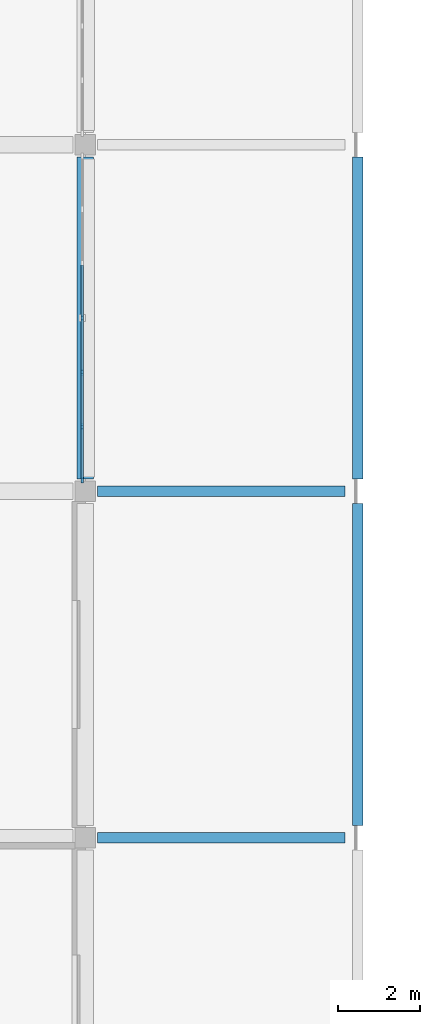
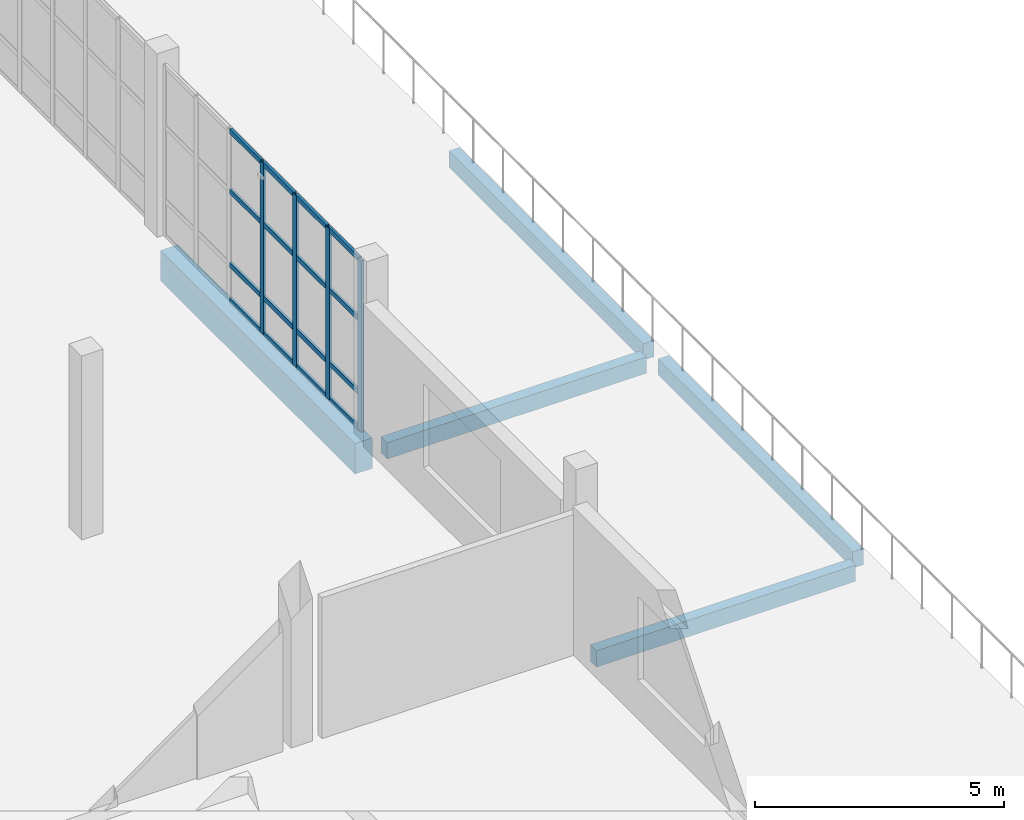
# One storey, part 4 of 83: 20 members, 5 beams, 1 element without a shape of its own.
"""IFC4 building model written with IfcOpenShell, lengths in metres."""

from ifc_helpers import new_model, si_unit, direction, frame, origin, origin_2d, place, context, subcontext, project, spatial, rectangle, extrude, material, material_profile, profile_set, type_object, element, aggregate, save


model = new_model("IFC4")

# Units and contexts
model_context = context("Model", 3, precision=1e-05, world=origin(), true_north=direction((0.0, 1.0)))
body_context = subcontext(model_context, "Body", "Model", "MODEL_VIEW")
ifc_project = project(units=[si_unit("LENGTHUNIT", "METRE"), si_unit("AREAUNIT", "SQUARE_METRE"), si_unit("VOLUMEUNIT", "CUBIC_METRE"), si_unit("PLANEANGLEUNIT", "RADIAN"), si_unit("MASSUNIT", "GRAM", prefix="KILO")], contexts=[model_context])

# Site, building, storey
site_placement = place(None, origin())
site = spatial("IfcSite", under=ifc_project, at=site_placement, CompositionType="ELEMENT")
building_placement = place(site_placement, origin())
building = spatial("IfcBuilding", under=site, at=building_placement, Name="Qaldarim Faculty of Natural and Applied Sciences", CompositionType="ELEMENT")
storey_placement = place(building_placement, frame((0.0, 0.0, 5.39990234375)))
storey = spatial("IfcBuildingStorey", under=building, at=storey_placement, Name="L01", CompositionType="ELEMENT", Elevation=5.39990234375)

# Beams
ifc_material_1 = material(Name="Concrete C40/50", Category="concrete")
ifc_material_profile_1 = material_profile(ifc_material_1, rectangle(XDim=0.25, YDim=0.39990234375, at=origin_2d()), Name="RC-LN250x400")
ifc_profile_set_1 = profile_set([ifc_material_profile_1], Name="Concrete C40/50")
beam_type_1 = type_object("IfcBeamType", Name="ArcadeLintel-RC250x400", PredefinedType="LINTEL", material=ifc_profile_set_1)
for number, where, z_axis, x_axis, name in (
    (1, (46.5, 50.39990234375, -0.39990234375), (1.0, 0.0, 0.0), (0.0, 1.0, 0.0), "Beam RC-LN250x400 L00 X08-X09/Y07"),
    (2, (46.5, 58.800048828125, -0.39990234375), (1.0, 0.0, 0.0), (0.0, 1.0, 0.0), "Beam RC-LN250x400 L00 X08-X09/Y08"),
):
    element("IfcBeam", number, at=place(storey_placement, frame(where, z_axis=z_axis, x_axis=x_axis)), inside=storey, type_object=beam_type_1, Name=name, PredefinedType="LINTEL", context=body_context, shape_type="SweptSolid", body=[
        extrude(rectangle(XDim=0.25, YDim=0.39990234375, at=origin_2d()), origin(), (0.0, 0.0, 1.0), 6.0),
    ])
beam_1_placement = place(storey_placement, frame((52.800048828125, 50.699951171875, -0.39990234375), z_axis=(0.0, 1.0, 0.0), x_axis=(-1.0, 0.0, 0.0)))
element("IfcBeam", 3, at=beam_1_placement, inside=storey, type_object=beam_type_1, Name="Beam RC-LN250x400 L00 X09/Y07-Y08", PredefinedType="LINTEL", context=body_context, shape_type="SweptSolid", body=[
    extrude(rectangle(XDim=0.25, YDim=0.39990234375, at=origin_2d()), origin(), (0.0, 0.0, 1.0), 7.800048828125),
])
beam_2_placement = place(storey_placement, frame((52.800048828125, 59.10009765625, -0.39990234375), z_axis=(0.0, 1.0, 0.0), x_axis=(-1.0, 0.0, 0.0)))
element("IfcBeam", 4, at=beam_2_placement, inside=storey, type_object=beam_type_1, Name="Beam RC-LN250x400 L00 X09/Y08-Y09", PredefinedType="LINTEL", context=body_context, shape_type="SweptSolid", body=[
    extrude(rectangle(XDim=0.25, YDim=0.39990234375, at=origin_2d()), origin(), (0.0, 0.0, 1.0), 7.7998046875),
])
ifc_material_2 = material(Name="Concrete C50/60", Category="concrete")
ifc_material_profile_2 = material_profile(ifc_material_2, rectangle(XDim=0.39990234375, YDim=0.75, at=origin_2d()), Name="RC-B400x750")
ifc_profile_set_2 = profile_set([ifc_material_profile_2], Name="Concrete C50/60")
beam_type_2 = type_object("IfcBeamType", Name="LabGirder-RC400x750", PredefinedType="BEAM", material=ifc_profile_set_2)
beam_3_placement = place(storey_placement, frame((46.199951171875, 59.10009765625, -0.6748046875), z_axis=(0.0, 1.0, 0.0), x_axis=(-1.0, 0.0, 0.0)))
element("IfcBeam", 5, at=beam_3_placement, inside=storey, type_object=beam_type_2, Name="Beam RC-B400x750 L00 X08/Y08-Y09", PredefinedType="BEAM", context=body_context, shape_type="SweptSolid", body=[
    extrude(rectangle(XDim=0.39990234375, YDim=0.75, at=origin_2d()), origin(), (0.0, 0.0, 1.0), 7.7998046875),
])

# Curtain wall, members
ifc_material_3 = material(Name="Anodised aluminium AW-6063", Category="aluminium")
curtain_wall_type = type_object("IfcCurtainWallType", Name="CurtainWallSystem-M1300", PredefinedType="USERDEFINED", material=ifc_material_3)
curtain_wall_placement = place(storey_placement, origin())
curtain_wall = element("IfcCurtainWall", 6, at=curtain_wall_placement, inside=storey, type_object=curtain_wall_type, Name="Curtain wall CW-L01-E-X07Y08", ObjectType="STICK CURTAIN WALL", PredefinedType="USERDEFINED")
ifc_material_profile_3 = material_profile(ifc_material_3, rectangle(XDim=0.06005859375, YDim=0.14990234375, at=origin_2d()), Name="ALU-M60x150")
ifc_profile_set_3 = profile_set([ifc_material_profile_3], Name="Anodised aluminium AW-6063")
member_type_1 = type_object("IfcMemberType", Name="Mullion-ALU60x150", PredefinedType="MULLION", material=ifc_profile_set_3)
member_1_placement = place(storey_placement, frame((46.1201171875, 59.074951171875, 0.0), z_axis=(0.0, 0.0, 1.0), x_axis=(-1.0, 0.0, 0.0)))
member_1 = element("IfcMember", 7, at=member_1_placement, type_object=member_type_1, Name="Mullion 1 of CW-L01-E-X07Y08", PredefinedType="MULLION", context=body_context, shape_type="SweptSolid", body=[
    extrude(rectangle(XDim=0.06005859375, YDim=0.14990234375, at=origin_2d()), origin(), (0.0, 0.0, 1.0), 4.2001953125),
])
member_2_placement = place(storey_placement, frame((46.1201171875, 60.36328125, 0.0), z_axis=(0.0, 0.0, 1.0), x_axis=(-1.0, 0.0, 0.0)))
member_2 = element("IfcMember", 8, at=member_2_placement, type_object=member_type_1, Name="Mullion 2 of CW-L01-E-X07Y08", PredefinedType="MULLION", context=body_context, shape_type="SweptSolid", body=[
    extrude(rectangle(XDim=0.06005859375, YDim=0.14990234375, at=origin_2d()), origin(), (0.0, 0.0, 1.0), 4.2001953125),
])
member_3_placement = place(storey_placement, frame((46.1201171875, 61.681640625, 0.0), z_axis=(0.0, 0.0, 1.0), x_axis=(-1.0, 0.0, 0.0)))
member_3 = element("IfcMember", 9, at=member_3_placement, type_object=member_type_1, Name="Mullion 3 of CW-L01-E-X07Y08", PredefinedType="MULLION", context=body_context, shape_type="SweptSolid", body=[
    extrude(rectangle(XDim=0.06005859375, YDim=0.14990234375, at=origin_2d()), origin(), (0.0, 0.0, 1.0), 4.2001953125),
])
member_4_placement = place(storey_placement, frame((46.1201171875, 63.0, 0.0), z_axis=(0.0, 0.0, 1.0), x_axis=(-1.0, 0.0, 0.0)))
member_4 = element("IfcMember", 10, at=member_4_placement, type_object=member_type_1, Name="Mullion 4 of CW-L01-E-X07Y08", PredefinedType="MULLION", context=body_context, shape_type="SweptSolid", body=[
    extrude(rectangle(XDim=0.06005859375, YDim=0.14990234375, at=origin_2d()), origin(), (0.0, 0.0, 1.0), 4.2001953125),
])
ifc_material_profile_4 = material_profile(ifc_material_3, rectangle(XDim=0.06005859375, YDim=0.1201171875, at=origin_2d()), Name="ALU-T60x120")
ifc_profile_set_4 = profile_set([ifc_material_profile_4], Name="Anodised aluminium AW-6063")
member_type_2 = type_object("IfcMemberType", Name="Transom-ALU60x120", PredefinedType="USERDEFINED", material=ifc_profile_set_4)
member_5_placement = place(storey_placement, frame((46.1201171875, 59.10498046875, 0.030029296875), z_axis=(0.0, 1.0, 0.0), x_axis=(-1.0, 0.0, 0.0)))
member_5 = element("IfcMember", 11, at=member_5_placement, type_object=member_type_2, Name="Transom 1-1 of CW-L01-E-X07Y08", ObjectType="TRANSOM", PredefinedType="USERDEFINED", context=body_context, shape_type="SweptSolid", body=[
    extrude(rectangle(XDim=0.06005859375, YDim=0.1201171875, at=origin_2d()), origin(), (0.0, 0.0, 1.0), 1.228271484375),
])
member_6_placement = place(storey_placement, frame((46.1201171875, 59.10498046875, 0.900146484375), z_axis=(0.0, 1.0, 0.0), x_axis=(-1.0, 0.0, 0.0)))
member_6 = element("IfcMember", 12, at=member_6_placement, type_object=member_type_2, Name="Transom 1-2 of CW-L01-E-X07Y08", ObjectType="TRANSOM", PredefinedType="USERDEFINED", context=body_context, shape_type="SweptSolid", body=[
    extrude(rectangle(XDim=0.06005859375, YDim=0.1201171875, at=origin_2d()), origin(), (0.0, 0.0, 1.0), 1.228271484375),
])
member_7_placement = place(storey_placement, frame((46.1201171875, 59.10498046875, 2.7001953125), z_axis=(0.0, 1.0, 0.0), x_axis=(-1.0, 0.0, 0.0)))
member_7 = element("IfcMember", 13, at=member_7_placement, type_object=member_type_2, Name="Transom 1-3 of CW-L01-E-X07Y08", ObjectType="TRANSOM", PredefinedType="USERDEFINED", context=body_context, shape_type="SweptSolid", body=[
    extrude(rectangle(XDim=0.06005859375, YDim=0.1201171875, at=origin_2d()), origin(), (0.0, 0.0, 1.0), 1.228271484375),
])
member_8_placement = place(storey_placement, frame((46.1201171875, 59.10498046875, 4.170166015625), z_axis=(0.0, 1.0, 0.0), x_axis=(-1.0, 0.0, 0.0)))
member_8 = element("IfcMember", 14, at=member_8_placement, type_object=member_type_2, Name="Transom 1-4 of CW-L01-E-X07Y08", ObjectType="TRANSOM", PredefinedType="USERDEFINED", context=body_context, shape_type="SweptSolid", body=[
    extrude(rectangle(XDim=0.06005859375, YDim=0.1201171875, at=origin_2d()), origin(), (0.0, 0.0, 1.0), 1.228271484375),
])
member_9_placement = place(storey_placement, frame((46.1201171875, 60.393310546875, 0.030029296875), z_axis=(0.0, 1.0, 0.0), x_axis=(-1.0, 0.0, 0.0)))
member_9 = element("IfcMember", 15, at=member_9_placement, type_object=member_type_2, Name="Transom 2-1 of CW-L01-E-X07Y08", ObjectType="TRANSOM", PredefinedType="USERDEFINED", context=body_context, shape_type="SweptSolid", body=[
    extrude(rectangle(XDim=0.06005859375, YDim=0.1201171875, at=origin_2d()), origin(), (0.0, 0.0, 1.0), 1.25830078125),
])
member_10_placement = place(storey_placement, frame((46.1201171875, 60.393310546875, 0.900146484375), z_axis=(0.0, 1.0, 0.0), x_axis=(-1.0, 0.0, 0.0)))
member_10 = element("IfcMember", 16, at=member_10_placement, type_object=member_type_2, Name="Transom 2-2 of CW-L01-E-X07Y08", ObjectType="TRANSOM", PredefinedType="USERDEFINED", context=body_context, shape_type="SweptSolid", body=[
    extrude(rectangle(XDim=0.06005859375, YDim=0.1201171875, at=origin_2d()), origin(), (0.0, 0.0, 1.0), 1.25830078125),
])
member_11_placement = place(storey_placement, frame((46.1201171875, 60.393310546875, 2.7001953125), z_axis=(0.0, 1.0, 0.0), x_axis=(-1.0, 0.0, 0.0)))
member_11 = element("IfcMember", 17, at=member_11_placement, type_object=member_type_2, Name="Transom 2-3 of CW-L01-E-X07Y08", ObjectType="TRANSOM", PredefinedType="USERDEFINED", context=body_context, shape_type="SweptSolid", body=[
    extrude(rectangle(XDim=0.06005859375, YDim=0.1201171875, at=origin_2d()), origin(), (0.0, 0.0, 1.0), 1.25830078125),
])
member_12_placement = place(storey_placement, frame((46.1201171875, 60.393310546875, 4.170166015625), z_axis=(0.0, 1.0, 0.0), x_axis=(-1.0, 0.0, 0.0)))
member_12 = element("IfcMember", 18, at=member_12_placement, type_object=member_type_2, Name="Transom 2-4 of CW-L01-E-X07Y08", ObjectType="TRANSOM", PredefinedType="USERDEFINED", context=body_context, shape_type="SweptSolid", body=[
    extrude(rectangle(XDim=0.06005859375, YDim=0.1201171875, at=origin_2d()), origin(), (0.0, 0.0, 1.0), 1.25830078125),
])
member_13_placement = place(storey_placement, frame((46.1201171875, 61.711669921875, 0.030029296875), z_axis=(0.0, 1.0, 0.0), x_axis=(-1.0, 0.0, 0.0)))
member_13 = element("IfcMember", 19, at=member_13_placement, type_object=member_type_2, Name="Transom 3-1 of CW-L01-E-X07Y08", ObjectType="TRANSOM", PredefinedType="USERDEFINED", context=body_context, shape_type="SweptSolid", body=[
    extrude(rectangle(XDim=0.06005859375, YDim=0.1201171875, at=origin_2d()), origin(), (0.0, 0.0, 1.0), 1.25830078125),
])
member_14_placement = place(storey_placement, frame((46.1201171875, 61.711669921875, 0.900146484375), z_axis=(0.0, 1.0, 0.0), x_axis=(-1.0, 0.0, 0.0)))
member_14 = element("IfcMember", 20, at=member_14_placement, type_object=member_type_2, Name="Transom 3-2 of CW-L01-E-X07Y08", ObjectType="TRANSOM", PredefinedType="USERDEFINED", context=body_context, shape_type="SweptSolid", body=[
    extrude(rectangle(XDim=0.06005859375, YDim=0.1201171875, at=origin_2d()), origin(), (0.0, 0.0, 1.0), 1.25830078125),
])
member_15_placement = place(storey_placement, frame((46.1201171875, 61.711669921875, 2.7001953125), z_axis=(0.0, 1.0, 0.0), x_axis=(-1.0, 0.0, 0.0)))
member_15 = element("IfcMember", 21, at=member_15_placement, type_object=member_type_2, Name="Transom 3-3 of CW-L01-E-X07Y08", ObjectType="TRANSOM", PredefinedType="USERDEFINED", context=body_context, shape_type="SweptSolid", body=[
    extrude(rectangle(XDim=0.06005859375, YDim=0.1201171875, at=origin_2d()), origin(), (0.0, 0.0, 1.0), 1.25830078125),
])
member_16_placement = place(storey_placement, frame((46.1201171875, 61.711669921875, 4.170166015625), z_axis=(0.0, 1.0, 0.0), x_axis=(-1.0, 0.0, 0.0)))
member_16 = element("IfcMember", 22, at=member_16_placement, type_object=member_type_2, Name="Transom 3-4 of CW-L01-E-X07Y08", ObjectType="TRANSOM", PredefinedType="USERDEFINED", context=body_context, shape_type="SweptSolid", body=[
    extrude(rectangle(XDim=0.06005859375, YDim=0.1201171875, at=origin_2d()), origin(), (0.0, 0.0, 1.0), 1.25830078125),
])
member_17_placement = place(storey_placement, frame((46.1201171875, 63.030029296875, 0.030029296875), z_axis=(0.0, 1.0, 0.0), x_axis=(-1.0, 0.0, 0.0)))
member_17 = element("IfcMember", 23, at=member_17_placement, type_object=member_type_2, Name="Transom 4-1 of CW-L01-E-X07Y08", ObjectType="TRANSOM", PredefinedType="USERDEFINED", context=body_context, shape_type="SweptSolid", body=[
    extrude(rectangle(XDim=0.06005859375, YDim=0.1201171875, at=origin_2d()), origin(), (0.0, 0.0, 1.0), 1.25830078125),
])
member_18_placement = place(storey_placement, frame((46.1201171875, 63.030029296875, 0.900146484375), z_axis=(0.0, 1.0, 0.0), x_axis=(-1.0, 0.0, 0.0)))
member_18 = element("IfcMember", 24, at=member_18_placement, type_object=member_type_2, Name="Transom 4-2 of CW-L01-E-X07Y08", ObjectType="TRANSOM", PredefinedType="USERDEFINED", context=body_context, shape_type="SweptSolid", body=[
    extrude(rectangle(XDim=0.06005859375, YDim=0.1201171875, at=origin_2d()), origin(), (0.0, 0.0, 1.0), 1.25830078125),
])
member_19_placement = place(storey_placement, frame((46.1201171875, 63.030029296875, 2.7001953125), z_axis=(0.0, 1.0, 0.0), x_axis=(-1.0, 0.0, 0.0)))
member_19 = element("IfcMember", 25, at=member_19_placement, type_object=member_type_2, Name="Transom 4-3 of CW-L01-E-X07Y08", ObjectType="TRANSOM", PredefinedType="USERDEFINED", context=body_context, shape_type="SweptSolid", body=[
    extrude(rectangle(XDim=0.06005859375, YDim=0.1201171875, at=origin_2d()), origin(), (0.0, 0.0, 1.0), 1.25830078125),
])
member_20_placement = place(storey_placement, frame((46.1201171875, 63.030029296875, 4.170166015625), z_axis=(0.0, 1.0, 0.0), x_axis=(-1.0, 0.0, 0.0)))
member_20 = element("IfcMember", 26, at=member_20_placement, type_object=member_type_2, Name="Transom 4-4 of CW-L01-E-X07Y08", ObjectType="TRANSOM", PredefinedType="USERDEFINED", context=body_context, shape_type="SweptSolid", body=[
    extrude(rectangle(XDim=0.06005859375, YDim=0.1201171875, at=origin_2d()), origin(), (0.0, 0.0, 1.0), 1.25830078125),
])
aggregate(curtain_wall, [member_1, member_2, member_3, member_4, member_5, member_6, member_7, member_8, member_9, member_10, member_11, member_12, member_13, member_14, member_15, member_16, member_17, member_18, member_19, member_20])

save(model, "model.ifc")
